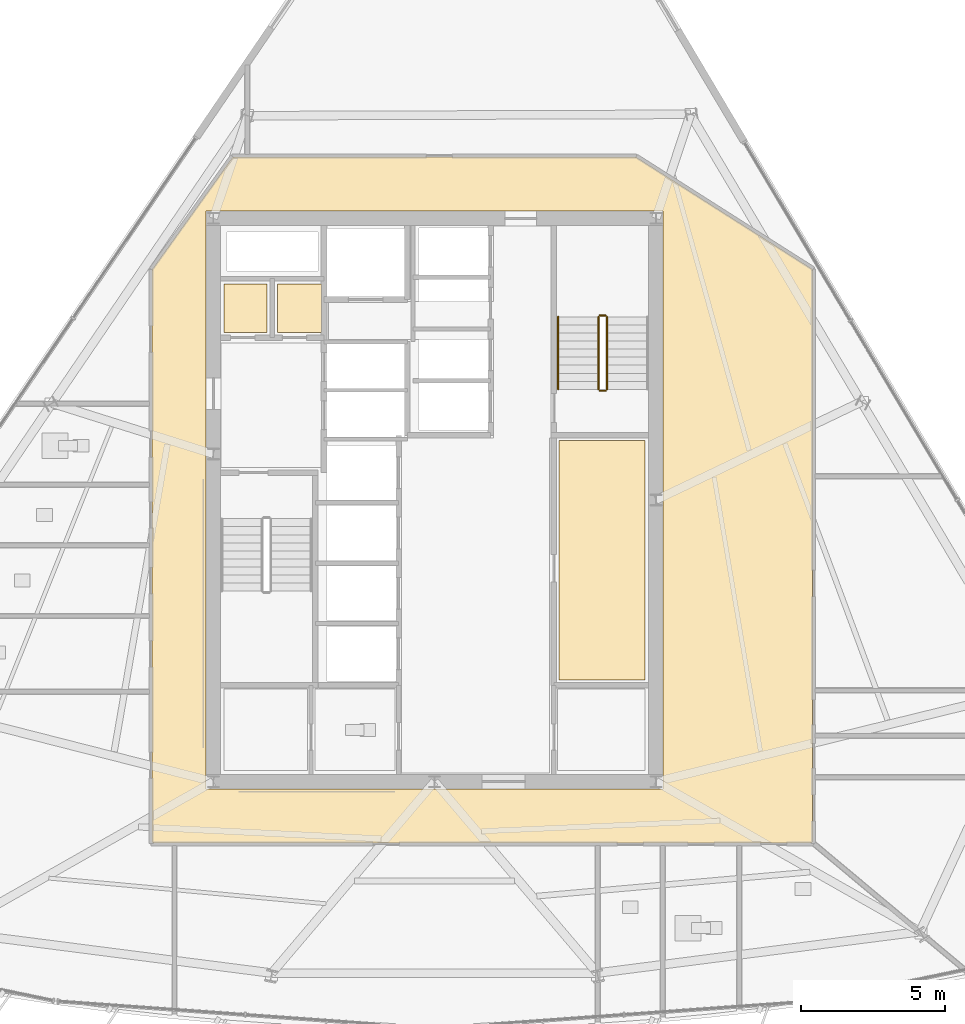
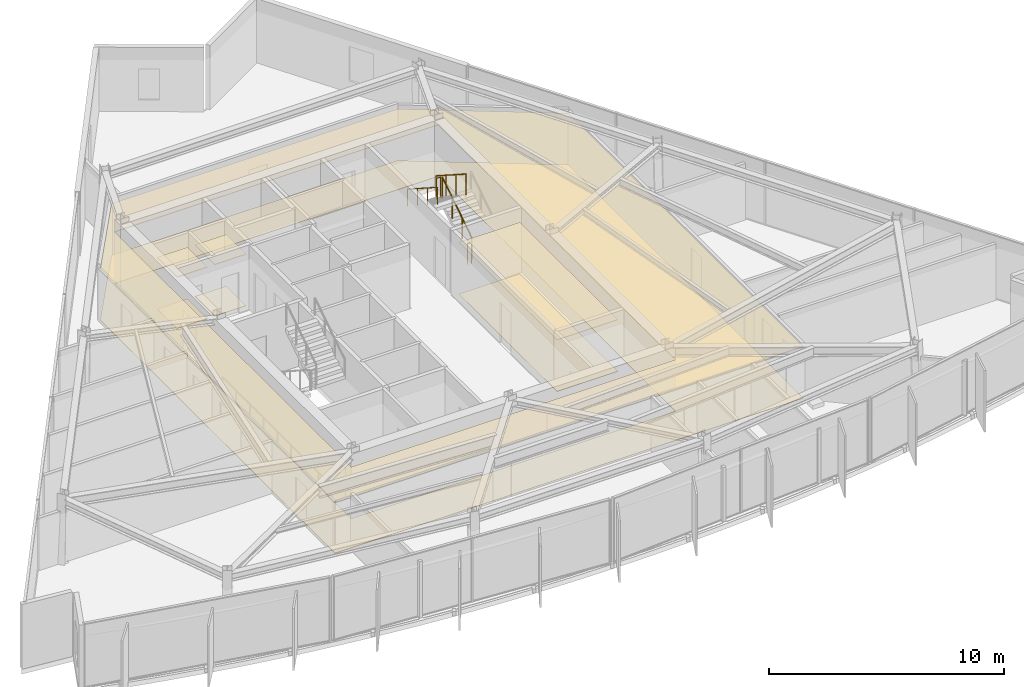
# One storey, part 13 of 15: 8 coverings, 5 railings.
"""IFC4 building model written with IfcOpenShell, lengths in metres."""

from ifc_helpers import new_model, si_unit, direction, frame, origin, origin_2d, place, context, subcontext, project, spatial, polyline, circle, outline, extrude, material, layer, layer_set, type_object, element, save


model = new_model("IFC4")

# Units and contexts
model_context = context("Model", 3, precision=1e-05, world=origin(), true_north=direction((0.0, 1.0)))
body_context = subcontext(model_context, "Body", "Model", "MODEL_VIEW")
ifc_project = project(units=[si_unit("LENGTHUNIT", "METRE"), si_unit("AREAUNIT", "SQUARE_METRE"), si_unit("VOLUMEUNIT", "CUBIC_METRE"), si_unit("PLANEANGLEUNIT", "RADIAN"), si_unit("MASSUNIT", "GRAM", prefix="KILO")], contexts=[model_context])

# Site, building, storey
site_placement = place(None, origin())
site = spatial("IfcSite", under=ifc_project, at=site_placement, CompositionType="ELEMENT")
building_placement = place(site_placement, origin())
building = spatial("IfcBuilding", under=site, at=building_placement, Name="Savorim Split Tower", CompositionType="ELEMENT")
storey_placement = place(building_placement, frame((0.0, 0.0, 198.300048828125)))
storey = spatial("IfcBuildingStorey", under=building, at=storey_placement, Name="L52", CompositionType="ELEMENT", Elevation=198.300048828125)

# Coverings
ifc_material_1 = material(Name="Mineral Fibre Acoustic Ceiling")
ifc_layer_1 = layer(ifc_material_1, 0.02490234375)
ifc_layer_set_1 = layer_set([ifc_layer_1], Name="COV-CEIL-25")
covering_type_1 = type_object("IfcCoveringType", Name="COV-CEIL-25", PredefinedType="CEILING", material=ifc_layer_set_1)
covering_1_placement = place(storey_placement, frame((0.0, 0.0, 2.669921875)))
element("IfcCovering", 1, at=covering_1_placement, inside=storey, type_object=covering_type_1, Name="L52 Electrical Riser Acoustic Ceiling", PredefinedType="CEILING", context=body_context, shape_type="SweptSolid", body=[
    extrude(outline(polyline([(-7.320068359375, 7.919921875), (-7.320068359375, 6.22998046875), (-5.830078125, 6.22998046875), (-5.830078125, 7.919921875), (-7.320068359375, 7.919921875)])), origin(), (0.0, 0.0, 1.0), 0.025146484375),
])
covering_2_placement = place(storey_placement, frame((0.0, 0.0, 2.669921875)))
element("IfcCovering", 2, at=covering_2_placement, inside=storey, type_object=covering_type_1, Name="L52 Telecom Riser Acoustic Ceiling", PredefinedType="CEILING", context=body_context, shape_type="SweptSolid", body=[
    extrude(outline(polyline([(-5.469970703125, 7.919921875), (-5.469970703125, 6.22998046875), (-3.929931640625, 6.22998046875), (-3.929931640625, 7.919921875), (-5.469970703125, 7.919921875)])), origin(), (0.0, 0.0, 1.0), 0.025146484375),
])
covering_3_placement = place(storey_placement, frame((0.0, 0.0, 2.669921875)))
element("IfcCovering", 3, at=covering_3_placement, inside=storey, type_object=covering_type_1, Name="L52 Shared Pantry and Linen Room Acoustic Ceiling", PredefinedType="CEILING", context=body_context, shape_type="SweptSolid", body=[
    extrude(outline(polyline([(4.330078125, 2.469970703125), (4.330078125, -5.8701171875), (7.320068359375, -5.8701171875), (7.320068359375, 2.469970703125), (4.330078125, 2.469970703125)])), origin(), (0.0, 0.0, 1.0), 0.025146484375),
])
covering_4_placement = place(storey_placement, frame((0.0, 0.0, 2.669921875)))
element("IfcCovering", 4, at=covering_4_placement, inside=storey, type_object=covering_type_1, Name="L52 Corridor Acoustic Ceiling", PredefinedType="CEILING", context=body_context, shape_type="SweptSolid", body=[
    extrude(outline(polyline([(7.009521484375, 12.3291015625), (7.004638671875, 12.329833984375), (7.0, 12.330078125), (-7.0, 12.330078125), (-7.004638671875, 12.329833984375), (-7.009521484375, 12.3291015625), (-7.013916015625, 12.327880859375), (-7.0185546875, 12.326416015625), (-7.022705078125, 12.324462890625), (-7.027099609375, 12.322021484375), (-7.03076171875, 12.3193359375), (-7.034423828125, 12.31640625), (-7.03759765625, 12.312744140625), (-7.04052734375, 12.30908203125), (-9.820556640625, 8.42919921875), (-9.823486328125, 8.4248046875), (-9.82568359375, 8.420166015625), (-9.82763671875, 8.415283203125), (-9.828857421875, 8.410400390625), (-9.82958984375, 8.4052734375), (-9.830078125, 8.39990234375), (-9.830078125, -11.47998046875), (-9.829833984375, -11.48486328125), (-9.8291015625, -11.48974609375), (-9.827880859375, -11.494384765625), (-9.826171875, -11.4990234375), (-9.82421875, -11.503662109375), (-9.821533203125, -11.5078125), (-9.818603515625, -11.51171875), (-9.8154296875, -11.515380859375), (-9.811767578125, -11.518798828125), (-9.807861328125, -11.521484375), (-9.8037109375, -11.524169921875), (-9.799072265625, -11.526123046875), (-9.79443359375, -11.52783203125), (-9.789794921875, -11.529052734375), (-9.784912109375, -11.52978515625), (-9.780029296875, -11.530029296875), (13.10009765625, -11.530029296875), (13.10498046875, -11.52978515625), (13.10986328125, -11.529052734375), (13.114501953125, -11.52783203125), (13.119140625, -11.526123046875), (13.12353515625, -11.524169921875), (13.127685546875, -11.521484375), (13.131591796875, -11.518798828125), (13.135498046875, -11.515380859375), (13.138671875, -11.51171875), (13.1416015625, -11.5078125), (13.14404296875, -11.503662109375), (13.146240234375, -11.4990234375), (13.147705078125, -11.494384765625), (13.14892578125, -11.48974609375), (13.14990234375, -11.48486328125), (13.14990234375, -11.47998046875), (13.14990234375, 8.39990234375), (13.149658203125, 8.405029296875), (13.14892578125, 8.409912109375), (13.147705078125, 8.414794921875), (13.14599609375, 8.41943359375), (13.143798828125, 8.424072265625), (13.14111328125, 8.42822265625), (13.13818359375, 8.432373046875), (13.134765625, 8.43603515625), (13.130859375, 8.439208984375), (13.126708984375, 8.442138671875), (7.02685546875, 12.322265625), (7.022705078125, 12.324462890625), (7.018310546875, 12.326416015625), (7.013916015625, 12.327880859375), (7.009521484375, 12.3291015625)]), holes=[polyline([(-7.949951171875, 10.449951171875), (-7.949951171875, -9.64990234375), (7.949951171875, -9.64990234375), (7.949951171875, 10.449951171875), (-7.949951171875, 10.449951171875)])]), origin(), (0.0, 0.0, 1.0), 0.025146484375),
])
ifc_material_2 = material(Name="Porcelain Stoneware Flooring", Category="masonry")
ifc_layer_2 = layer(ifc_material_2, 0.02001953125)
ifc_layer_set_2 = layer_set([ifc_layer_2], Name="COV-FLOR-20")
covering_type_2 = type_object("IfcCoveringType", Name="COV-FLOR-20", PredefinedType="FLOORING", material=ifc_layer_set_2)
covering_5_placement = place(storey_placement, origin())
element("IfcCovering", 5, at=covering_5_placement, inside=storey, type_object=covering_type_2, Name="L52 Electrical Riser Porcelain Flooring", PredefinedType="FLOORING", context=body_context, shape_type="SweptSolid", body=[
    extrude(outline(polyline([(-7.320068359375, 7.919921875), (-7.320068359375, 6.22998046875), (-5.830078125, 6.22998046875), (-5.830078125, 7.919921875), (-7.320068359375, 7.919921875)])), origin(), (0.0, 0.0, 1.0), 0.02001953125),
])
covering_6_placement = place(storey_placement, origin())
element("IfcCovering", 6, at=covering_6_placement, inside=storey, type_object=covering_type_2, Name="L52 Telecom Riser Porcelain Flooring", PredefinedType="FLOORING", context=body_context, shape_type="SweptSolid", body=[
    extrude(outline(polyline([(-5.469970703125, 7.919921875), (-5.469970703125, 6.22998046875), (-3.929931640625, 6.22998046875), (-3.929931640625, 7.919921875), (-5.469970703125, 7.919921875)])), origin(), (0.0, 0.0, 1.0), 0.02001953125),
])
covering_7_placement = place(storey_placement, origin())
element("IfcCovering", 7, at=covering_7_placement, inside=storey, type_object=covering_type_2, Name="L52 Shared Pantry and Linen Room Porcelain Flooring", PredefinedType="FLOORING", context=body_context, shape_type="SweptSolid", body=[
    extrude(outline(polyline([(4.330078125, 2.469970703125), (4.330078125, -5.8701171875), (7.320068359375, -5.8701171875), (7.320068359375, 2.469970703125), (4.330078125, 2.469970703125)])), origin(), (0.0, 0.0, 1.0), 0.02001953125),
])
covering_8_placement = place(storey_placement, origin())
element("IfcCovering", 8, at=covering_8_placement, inside=storey, type_object=covering_type_2, Name="L52 Corridor Porcelain Flooring", PredefinedType="FLOORING", context=body_context, shape_type="SweptSolid", body=[
    extrude(outline(polyline([(7.009521484375, 12.3291015625), (7.004638671875, 12.329833984375), (7.0, 12.330078125), (-7.0, 12.330078125), (-7.004638671875, 12.329833984375), (-7.009521484375, 12.3291015625), (-7.013916015625, 12.327880859375), (-7.0185546875, 12.326416015625), (-7.022705078125, 12.324462890625), (-7.027099609375, 12.322021484375), (-7.03076171875, 12.3193359375), (-7.034423828125, 12.31640625), (-7.03759765625, 12.312744140625), (-7.04052734375, 12.30908203125), (-9.820556640625, 8.42919921875), (-9.823486328125, 8.4248046875), (-9.82568359375, 8.420166015625), (-9.82763671875, 8.415283203125), (-9.828857421875, 8.410400390625), (-9.82958984375, 8.4052734375), (-9.830078125, 8.39990234375), (-9.830078125, -11.47998046875), (-9.829833984375, -11.48486328125), (-9.8291015625, -11.48974609375), (-9.827880859375, -11.494384765625), (-9.826171875, -11.4990234375), (-9.82421875, -11.503662109375), (-9.821533203125, -11.5078125), (-9.818603515625, -11.51171875), (-9.8154296875, -11.515380859375), (-9.811767578125, -11.518798828125), (-9.807861328125, -11.521484375), (-9.8037109375, -11.524169921875), (-9.799072265625, -11.526123046875), (-9.79443359375, -11.52783203125), (-9.789794921875, -11.529052734375), (-9.784912109375, -11.52978515625), (-9.780029296875, -11.530029296875), (13.10009765625, -11.530029296875), (13.10498046875, -11.52978515625), (13.10986328125, -11.529052734375), (13.114501953125, -11.52783203125), (13.119140625, -11.526123046875), (13.12353515625, -11.524169921875), (13.127685546875, -11.521484375), (13.131591796875, -11.518798828125), (13.135498046875, -11.515380859375), (13.138671875, -11.51171875), (13.1416015625, -11.5078125), (13.14404296875, -11.503662109375), (13.146240234375, -11.4990234375), (13.147705078125, -11.494384765625), (13.14892578125, -11.48974609375), (13.14990234375, -11.48486328125), (13.14990234375, -11.47998046875), (13.14990234375, 8.39990234375), (13.149658203125, 8.405029296875), (13.14892578125, 8.409912109375), (13.147705078125, 8.414794921875), (13.14599609375, 8.41943359375), (13.143798828125, 8.424072265625), (13.14111328125, 8.42822265625), (13.13818359375, 8.432373046875), (13.134765625, 8.43603515625), (13.130859375, 8.439208984375), (13.126708984375, 8.442138671875), (7.02685546875, 12.322265625), (7.022705078125, 12.324462890625), (7.018310546875, 12.326416015625), (7.013916015625, 12.327880859375), (7.009521484375, 12.3291015625)]), holes=[polyline([(-7.949951171875, 10.449951171875), (-7.949951171875, -9.64990234375), (7.949951171875, -9.64990234375), (7.949951171875, 10.449951171875), (-7.949951171875, 10.449951171875)])]), origin(), (0.0, 0.0, 1.0), 0.02001953125),
])

# Railings
ifc_material_3 = material(Name="Galvanised Painted Steel Balustrade", Category="steel")
railing_type_1 = type_object("IfcRailingType", Name="RLG-HR-900", PredefinedType="HANDRAIL", material=ifc_material_3)
railing_1_placement = place(storey_placement, frame((4.300048828125, 6.77001953125, 1.97998046875)))
element("IfcRailing", 9, at=railing_1_placement, inside=storey, type_object=railing_type_1, Name="L52 ST-2 stair handrail 2", PredefinedType="HANDRAIL", context=body_context, shape_type="SweptSolid", body=[
    extrude(circle(Radius=0.02392578125, at=origin_2d()), frame((0.0, 0.0, 0.8759765625), z_axis=(0.0, -0.841199657755, 0.540724639528), x_axis=(1.0, 0.0, 0.0)), (0.0, 0.0, 1.0), 2.995849609375),
    extrude(circle(Radius=0.02099609375, at=origin_2d()), origin(), (0.0, 0.0, 1.0), 0.851806640625),
    extrude(circle(Radius=0.02099609375, at=origin_2d()), frame((0.0, -0.840087890625, 0.5400390625)), (0.0, 0.0, 1.0), 0.851806640625),
    extrude(circle(Radius=0.02099609375, at=origin_2d()), frame((0.0, -1.679931640625, 1.079833984375)), (0.0, 0.0, 1.0), 0.851806640625),
    extrude(circle(Radius=0.02099609375, at=origin_2d()), frame((0.0, -2.52001953125, 1.619873046875)), (0.0, 0.0, 1.0), 0.851806640625),
])
railing_type_2 = type_object("IfcRailingType", Name="RLG-STG-1100", PredefinedType="BALUSTRADE", material=ifc_material_3)
railing_2_placement = place(storey_placement, frame((6.0, 4.25, 0.179931640625)))
element("IfcRailing", 10, at=railing_2_placement, inside=storey, type_object=railing_type_2, Name="L52 ST-2 stair guard 1", PredefinedType="BALUSTRADE", context=body_context, shape_type="SweptSolid", body=[
    extrude(circle(Radius=0.02392578125, at=origin_2d()), frame((0.0, 0.0, 1.076171875), z_axis=(0.0, 0.841162588446, 0.540782303519), x_axis=(-1.0, 0.0, 0.0)), (0.0, 0.0, 1.0), 2.995849609375),
    extrude(circle(Radius=0.02099609375, at=origin_2d()), origin(), (0.0, 0.0, 1.0), 1.052001953125),
    extrude(circle(Radius=0.02099609375, at=origin_2d()), frame((0.0, 0.840087890625, 0.5400390625)), (0.0, 0.0, 1.0), 1.052001953125),
    extrude(circle(Radius=0.02099609375, at=origin_2d()), frame((0.0, 1.679931640625, 1.080078125)), (0.0, 0.0, 1.0), 1.052001953125),
    extrude(circle(Radius=0.02099609375, at=origin_2d()), frame((0.0, 2.52001953125, 1.6201171875)), (0.0, 0.0, 1.0), 1.052001953125),
])
railing_3_placement = place(storey_placement, frame((5.949951171875, 6.820068359375, 1.800048828125)))
element("IfcRailing", 11, at=railing_3_placement, inside=storey, type_object=railing_type_2, Name="L52 ST-2 stair guard 2", PredefinedType="BALUSTRADE", context=body_context, shape_type="SweptSolid", body=[
    extrude(circle(Radius=0.02392578125, at=origin_2d()), frame((0.0, 0.0, 1.076171875), z_axis=(-1.0, 0.0, 0.0), x_axis=(0.0, -1.0, 0.0)), (0.0, 0.0, 1.0), 0.199951171875),
    extrude(circle(Radius=0.02099609375, at=origin_2d()), origin(), (0.0, 0.0, 1.0), 1.052001953125),
    extrude(circle(Radius=0.02099609375, at=origin_2d()), frame((-0.199951171875, 0.0, 0.0)), (0.0, 0.0, 1.0), 1.052001953125),
])
railing_4_placement = place(storey_placement, frame((5.699951171875, 6.77001953125, 1.97998046875)))
element("IfcRailing", 12, at=railing_4_placement, inside=storey, type_object=railing_type_2, Name="L52 ST-2 stair guard 3", PredefinedType="BALUSTRADE", context=body_context, shape_type="SweptSolid", body=[
    extrude(circle(Radius=0.02392578125, at=origin_2d()), frame((0.0, 0.0, 1.076171875), z_axis=(0.0, -0.841199657755, 0.540724639528), x_axis=(1.0, 0.0, 0.0)), (0.0, 0.0, 1.0), 2.995849609375),
    extrude(circle(Radius=0.02099609375, at=origin_2d()), origin(), (0.0, 0.0, 1.0), 1.052001953125),
    extrude(circle(Radius=0.02099609375, at=origin_2d()), frame((0.0, -0.840087890625, 0.5400390625)), (0.0, 0.0, 1.0), 1.052001953125),
    extrude(circle(Radius=0.02099609375, at=origin_2d()), frame((0.0, -1.679931640625, 1.079833984375)), (0.0, 0.0, 1.0), 1.052001953125),
    extrude(circle(Radius=0.02099609375, at=origin_2d()), frame((0.0, -2.52001953125, 1.619873046875)), (0.0, 0.0, 1.0), 1.052001953125),
])
railing_5_placement = place(storey_placement, frame((5.949951171875, 4.199951171875, 0.0)))
element("IfcRailing", 13, at=railing_5_placement, inside=storey, type_object=railing_type_2, Name="L52 ST-2 stair guard 4", PredefinedType="BALUSTRADE", context=body_context, shape_type="SweptSolid", body=[
    extrude(circle(Radius=0.02392578125, at=origin_2d()), frame((0.0, 0.0, 1.076171875), z_axis=(-1.0, 0.0, 0.0), x_axis=(0.0, -1.0, 0.0)), (0.0, 0.0, 1.0), 0.199951171875),
    extrude(circle(Radius=0.02099609375, at=origin_2d()), origin(), (0.0, 0.0, 1.0), 1.052001953125),
    extrude(circle(Radius=0.02099609375, at=origin_2d()), frame((-0.199951171875, 0.0, 0.0)), (0.0, 0.0, 1.0), 1.052001953125),
])

save(model, "model.ifc")
